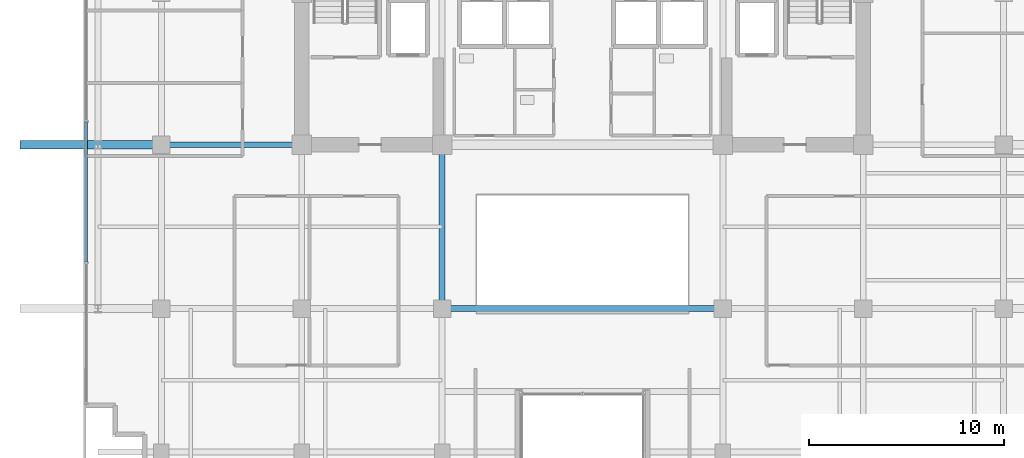
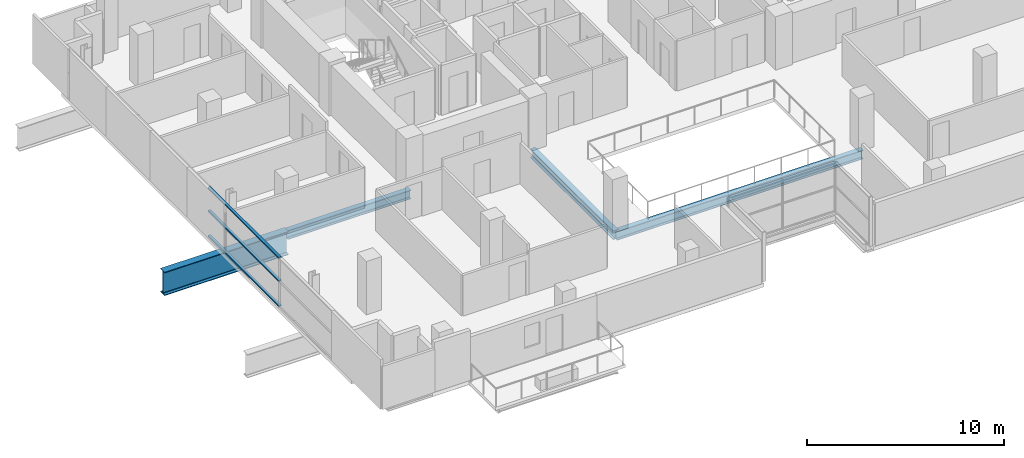
# One storey, part 8 of 27: 4 beams, 3 members, 1 element without a shape of its own.
"""IFC4 building model written with IfcOpenShell, lengths in metres."""

from ifc_helpers import new_model, si_unit, direction, frame, origin, origin_2d, place, context, subcontext, project, spatial, hollow_rectangle, i_section, extrude, source, transform, mapped, material, layer, layer_set, material_profile, profile_set, type_object, element, aggregate, save


model = new_model("IFC4")

# Units and contexts
model_context = context("Model", 3, precision=1e-05, world=origin(), true_north=direction((0.0, 1.0)))
body_context = subcontext(model_context, "Body", "Model", "MODEL_VIEW")
ifc_project = project(units=[si_unit("LENGTHUNIT", "METRE"), si_unit("AREAUNIT", "SQUARE_METRE"), si_unit("VOLUMEUNIT", "CUBIC_METRE"), si_unit("PLANEANGLEUNIT", "RADIAN"), si_unit("MASSUNIT", "GRAM", prefix="KILO")], contexts=[model_context])

# Site, building, storey
site_placement = place(None, origin())
site = spatial("IfcSite", under=ifc_project, at=site_placement, CompositionType="ELEMENT")
building_placement = place(site_placement, origin())
building = spatial("IfcBuilding", under=site, at=building_placement, Name="Zarnakvel Exchange Tower", CompositionType="ELEMENT")
storey_placement = place(building_placement, frame((0.0, 0.0, 113.199951171875)))
storey = spatial("IfcBuildingStorey", under=building, at=storey_placement, Name="L31", CompositionType="ELEMENT", Elevation=113.199951171875)

# Beams
ifc_material_1 = material(Name="Steel S355", Category="steel")
ifc_material_profile_1 = material_profile(ifc_material_1, i_section(OverallWidth=0.300048828125, OverallDepth=0.550048828125, WebThickness=0.014892578125, FlangeThickness=0.029052734375, FilletRadius=0.027099609375, at=origin_2d()))
ifc_profile_set_1 = profile_set([ifc_material_profile_1], Name="Steel S355")
beam_type_1 = type_object("IfcBeamType", Name="G-05", PredefinedType="BEAM", material=ifc_profile_set_1)
beam_1_placement = place(storey_placement, frame((-7.199951171875, -9.60009765625, -0.5), z_axis=(1.0, 0.0, 0.0), x_axis=(0.0, 1.0, 0.0)))
element("IfcBeam", 1, at=beam_1_placement, inside=storey, type_object=beam_type_1, Name="L31 Tower E-W Frame Beam", PredefinedType="BEAM", context=body_context, shape_type="SweptSolid", body=[
    extrude(i_section(OverallWidth=0.300048828125, OverallDepth=0.550048828125, WebThickness=0.014892578125, FlangeThickness=0.029052734375, FilletRadius=0.027099609375, at=origin_2d()), origin(), (0.0, 0.0, 1.0), 14.39990234375),
])
beam_2_placement = place(storey_placement, frame((-21.60009765625, -1.199951171875, -0.5), z_axis=(1.0, 0.0, 0.0), x_axis=(0.0, 1.0, 0.0)))
element("IfcBeam", 2, at=beam_2_placement, inside=storey, type_object=beam_type_1, Name="L31 Tower E-W Frame Beam", PredefinedType="BEAM", context=body_context, shape_type="SweptSolid", body=[
    extrude(i_section(OverallWidth=0.300048828125, OverallDepth=0.550048828125, WebThickness=0.014892578125, FlangeThickness=0.029052734375, FilletRadius=0.027099609375, at=origin_2d()), origin(), (0.0, 0.0, 1.0), 7.2001953125),
])
beam_3_placement = place(storey_placement, frame((-7.199951171875, -9.60009765625, -0.5), z_axis=(0.0, 1.0, 0.0), x_axis=(-1.0, 0.0, 0.0)))
element("IfcBeam", 3, at=beam_3_placement, inside=storey, type_object=beam_type_1, Name="L31 Tower N-S Frame Beam", PredefinedType="BEAM", context=body_context, shape_type="SweptSolid", body=[
    extrude(i_section(OverallWidth=0.300048828125, OverallDepth=0.550048828125, WebThickness=0.014892578125, FlangeThickness=0.029052734375, FilletRadius=0.027099609375, at=origin_2d()), origin(), (0.0, 0.0, 1.0), 8.400146484375),
])
ifc_material_2 = material(Name="Steel S460", Category="steel")
ifc_material_profile_2 = material_profile(ifc_material_2, i_section(OverallWidth=0.419921875, OverallDepth=1.449951171875, WebThickness=0.02392578125, FlangeThickness=0.0400390625, FilletRadius=0.030029296875, at=origin_2d()))
ifc_profile_set_2 = profile_set([ifc_material_profile_2], Name="Steel S460")
beam_type_2 = type_object("IfcBeamType", Name="TG-01", PredefinedType="BEAM", material=ifc_profile_set_2)
beam_4_placement = place(storey_placement, frame((-28.85009765625, -1.199951171875, -0.949951171875), z_axis=(1.0, 0.0, 0.0), x_axis=(0.0, 1.0, 0.0)))
element("IfcBeam", 4, at=beam_4_placement, inside=storey, type_object=beam_type_2, Name="L31 Setback E-W Transfer Girder TW-D", PredefinedType="BEAM", context=body_context, shape_type="SweptSolid", body=[
    extrude(i_section(OverallWidth=0.419921875, OverallDepth=1.449951171875, WebThickness=0.02392578125, FlangeThickness=0.0400390625, FilletRadius=0.030029296875, at=origin_2d()), origin(), (0.0, 0.0, 1.0), 7.25),
])

# Curtain wall, members
ifc_material_3 = material(Name="Architectural Bronze Anodised Aluminium", Category="aluminium")
ifc_layer = layer(ifc_material_3, 0.199951171875)
ifc_layer_set = layer_set([ifc_layer], Name="Architectural Bronze Anodised Aluminium")
curtain_wall_type = type_object("IfcCurtainWallType", Name="CW-04", PredefinedType="NOTDEFINED", material=ifc_layer_set)
curtain_wall_placement = place(storey_placement, origin())
curtain_wall = element("IfcCurtainWall", 5, at=curtain_wall_placement, inside=storey, type_object=curtain_wall_type, Name="L31 Curtain Wall CW-L31-W1 (CW-04)", PredefinedType="NOTDEFINED")
ifc_material_profile_3 = material_profile(ifc_material_3, hollow_rectangle(XDim=0.159912109375, YDim=0.074951171875, WallThickness=0.00390625, at=origin_2d()))
ifc_profile_set_3 = profile_set([ifc_material_profile_3], Name="Architectural Bronze Anodised Aluminium")
member_type = type_object("IfcMemberType", Name="CWT-04", PredefinedType="USERDEFINED", material=ifc_profile_set_3)
shared_shape = source(origin(), body_context, "Body", "SweptSolid", [
    extrude(hollow_rectangle(XDim=0.159912109375, YDim=0.074951171875, WallThickness=0.00390625, at=origin_2d()), origin(), (0.0, 0.0, 1.0), 7.1748046875),
])
member_1_placement = place(storey_placement, frame((-25.4599609375, -7.21240234375, 0.03759765625), z_axis=(0.0, 1.0, 0.0), x_axis=(-1.0, 0.0, 0.0)))
member_1 = element("IfcMember", 6, at=member_1_placement, type_object=member_type, Name="CW-04 transom 2.1", ObjectType="TRANSOM", PredefinedType="USERDEFINED", context=body_context, shape_type="MappedRepresentation", body=[
    mapped(shared_shape, transform((0.0, 0.0, 0.0), x_axis=(1.0, 0.0, 0.0), y_axis=(0.0, 1.0, 0.0), z_axis=(0.0, 0.0, 1.0), scale=1.0)),
])
member_2_placement = place(storey_placement, frame((-25.4599609375, -7.21240234375, 1.588623046875), z_axis=(0.0, 1.0, 0.0), x_axis=(-1.0, 0.0, 0.0)))
member_2 = element("IfcMember", 7, at=member_2_placement, type_object=member_type, Name="CW-04 transom 2.2", ObjectType="TRANSOM", PredefinedType="USERDEFINED", context=body_context, shape_type="MappedRepresentation", body=[
    mapped(shared_shape, transform((0.0, 0.0, 0.0), x_axis=(1.0, 0.0, 0.0), y_axis=(0.0, 1.0, 0.0), z_axis=(0.0, 0.0, 1.0), scale=1.0)),
])
member_3_placement = place(storey_placement, frame((-25.4599609375, -7.21240234375, 3.017578125), z_axis=(0.0, 1.0, 0.0), x_axis=(-1.0, 0.0, 0.0)))
member_3 = element("IfcMember", 8, at=member_3_placement, type_object=member_type, Name="CW-04 transom 2.3", ObjectType="TRANSOM", PredefinedType="USERDEFINED", context=body_context, shape_type="MappedRepresentation", body=[
    mapped(shared_shape, transform((0.0, 0.0, 0.0), x_axis=(1.0, 0.0, 0.0), y_axis=(0.0, 1.0, 0.0), z_axis=(0.0, 0.0, 1.0), scale=1.0)),
])
aggregate(curtain_wall, [member_1, member_2, member_3])

save(model, "model.ifc")
